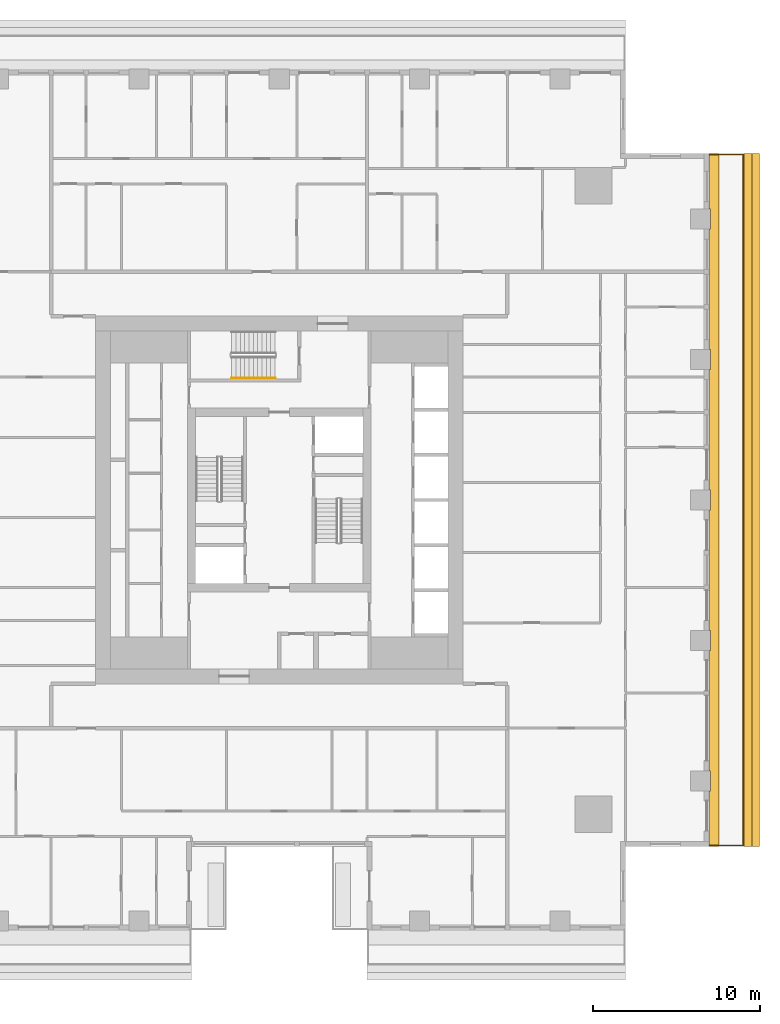
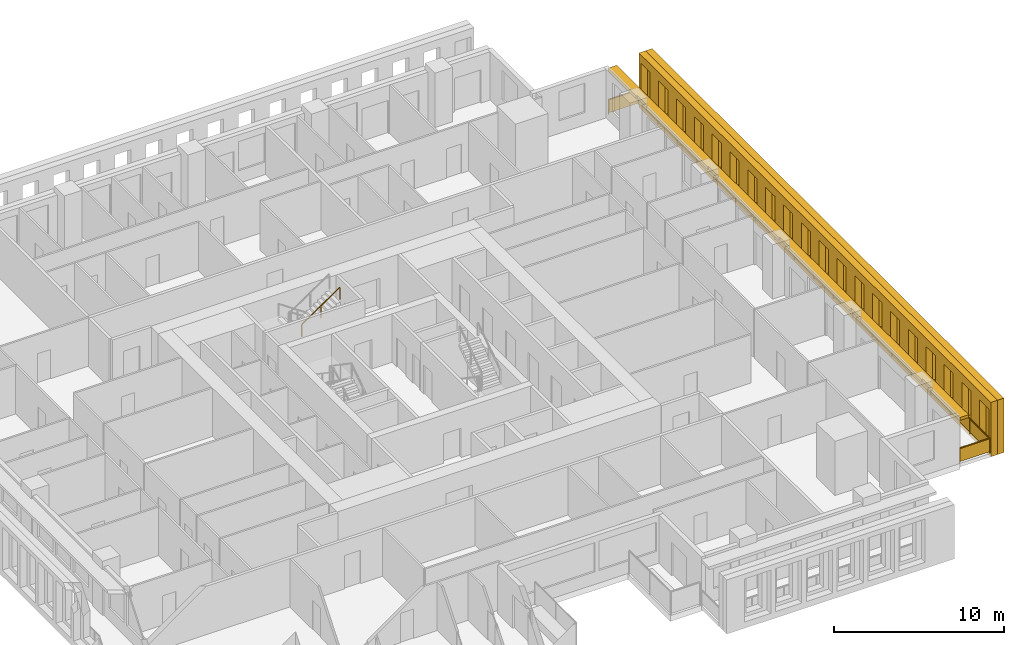
# One storey, part 13 of 15: 3 shading devices, 2 railings.
"""IFC4 building model written with IfcOpenShell, lengths in metres."""

from ifc_helpers import new_model, si_unit, direction, frame, origin, origin_2d, place, context, subcontext, project, spatial, polyline, rectangle, outline, extrude, material, layer, layer_set, type_object, element, save


model = new_model("IFC4")

# Units and contexts
model_context = context("Model", 3, precision=1e-05, world=origin(), true_north=direction((0.0, 1.0)))
body_context = subcontext(model_context, "Body", "Model", "MODEL_VIEW")
ifc_project = project(units=[si_unit("LENGTHUNIT", "METRE"), si_unit("AREAUNIT", "SQUARE_METRE"), si_unit("VOLUMEUNIT", "CUBIC_METRE"), si_unit("PLANEANGLEUNIT", "RADIAN"), si_unit("MASSUNIT", "GRAM", prefix="KILO")], contexts=[model_context])

# Site, building, storey
site_placement = place(None, origin())
site = spatial("IfcSite", under=ifc_project, at=site_placement, CompositionType="ELEMENT")
building_placement = place(site_placement, origin())
building = spatial("IfcBuilding", under=site, at=building_placement, Name="Khepri Terraces", CompositionType="ELEMENT")
storey_placement = place(building_placement, frame((0.0, 0.0, 248.39990234375)))
storey = spatial("IfcBuildingStorey", under=building, at=storey_placement, Name="L59", CompositionType="ELEMENT", Elevation=248.39990234375)

# Railings
ifc_material_1 = material(Name="Stainless steel grade 316", Category="steel")
railing_type_1 = type_object("IfcRailingType", Name="GRD-BAL-1100", PredefinedType="GUARDRAIL", material=ifc_material_1)
railing_1_placement = place(storey_placement, frame((25.719970703125, -20.669921875, 0.0)))
element("IfcRailing", 1, at=railing_1_placement, inside=storey, type_object=railing_type_1, Name="Balcony guard L59 E", PredefinedType="GUARDRAIL", context=body_context, shape_type="SweptSolid", body=[
    extrude(rectangle(XDim=0.050048828125, YDim=0.06005859375, at=origin_2d()), frame((0.0, 0.0, 1.070068359375), z_axis=(1.0, 0.0, 0.0), x_axis=(0.0, 1.0, 0.0)), (0.0, 0.0, 1.0), 2.050048828125),
    extrude(rectangle(XDim=2.0, YDim=0.011962890625, at=origin_2d()), frame((1.02490234375, 0.0, 0.10009765625), z_axis=(0.0, 0.0, 1.0), x_axis=(1.0, 0.0, 0.0)), (0.0, 0.0, 1.0), 0.93994140625),
    extrude(rectangle(XDim=0.050048828125, YDim=0.06005859375, at=origin_2d()), frame((2.050048828125, 0.0, 1.070068359375), z_axis=(0.0, 1.0, 0.0), x_axis=(-1.0, 0.0, 0.0)), (0.0, 0.0, 1.0), 41.33984375),
    extrude(rectangle(XDim=2.24658203125, YDim=0.011962890625, at=origin_2d()), frame((2.050048828125, 1.1484375, 0.10009765625), z_axis=(0.0, 0.0, 1.0), x_axis=(0.0, 1.0, 0.0)), (0.0, 0.0, 1.0), 0.93994140625),
    extrude(rectangle(XDim=2.24658203125, YDim=0.011962890625, at=origin_2d()), frame((2.050048828125, 3.445068359375, 0.10009765625), z_axis=(0.0, 0.0, 1.0), x_axis=(0.0, 1.0, 0.0)), (0.0, 0.0, 1.0), 0.93994140625),
    extrude(rectangle(XDim=2.24658203125, YDim=0.011962890625, at=origin_2d()), frame((2.050048828125, 5.74169921875, 0.10009765625), z_axis=(0.0, 0.0, 1.0), x_axis=(0.0, 1.0, 0.0)), (0.0, 0.0, 1.0), 0.93994140625),
    extrude(rectangle(XDim=2.24658203125, YDim=0.011962890625, at=origin_2d()), frame((2.050048828125, 8.038330078125, 0.10009765625), z_axis=(0.0, 0.0, 1.0), x_axis=(0.0, 1.0, 0.0)), (0.0, 0.0, 1.0), 0.93994140625),
    extrude(rectangle(XDim=2.24658203125, YDim=0.011962890625, at=origin_2d()), frame((2.050048828125, 10.3349609375, 0.10009765625), z_axis=(0.0, 0.0, 1.0), x_axis=(0.0, 1.0, 0.0)), (0.0, 0.0, 1.0), 0.93994140625),
    extrude(rectangle(XDim=2.24658203125, YDim=0.011962890625, at=origin_2d()), frame((2.050048828125, 12.631591796875, 0.10009765625), z_axis=(0.0, 0.0, 1.0), x_axis=(0.0, 1.0, 0.0)), (0.0, 0.0, 1.0), 0.93994140625),
    extrude(rectangle(XDim=2.24658203125, YDim=0.011962890625, at=origin_2d()), frame((2.050048828125, 14.92822265625, 0.10009765625), z_axis=(0.0, 0.0, 1.0), x_axis=(0.0, 1.0, 0.0)), (0.0, 0.0, 1.0), 0.93994140625),
    extrude(rectangle(XDim=2.24658203125, YDim=0.011962890625, at=origin_2d()), frame((2.050048828125, 17.224853515625, 0.10009765625), z_axis=(0.0, 0.0, 1.0), x_axis=(0.0, 1.0, 0.0)), (0.0, 0.0, 1.0), 0.93994140625),
    extrude(rectangle(XDim=2.24658203125, YDim=0.011962890625, at=origin_2d()), frame((2.050048828125, 19.521484375, 0.10009765625), z_axis=(0.0, 0.0, 1.0), x_axis=(0.0, 1.0, 0.0)), (0.0, 0.0, 1.0), 0.93994140625),
    extrude(rectangle(XDim=2.24658203125, YDim=0.011962890625, at=origin_2d()), frame((2.050048828125, 21.818359375, 0.10009765625), z_axis=(0.0, 0.0, 1.0), x_axis=(0.0, 1.0, 0.0)), (0.0, 0.0, 1.0), 0.93994140625),
    extrude(rectangle(XDim=2.24658203125, YDim=0.011962890625, at=origin_2d()), frame((2.050048828125, 24.114990234375, 0.10009765625), z_axis=(0.0, 0.0, 1.0), x_axis=(0.0, 1.0, 0.0)), (0.0, 0.0, 1.0), 0.93994140625),
    extrude(rectangle(XDim=2.24658203125, YDim=0.011962890625, at=origin_2d()), frame((2.050048828125, 26.41162109375, 0.10009765625), z_axis=(0.0, 0.0, 1.0), x_axis=(0.0, 1.0, 0.0)), (0.0, 0.0, 1.0), 0.93994140625),
    extrude(rectangle(XDim=2.24658203125, YDim=0.011962890625, at=origin_2d()), frame((2.050048828125, 28.708251953125, 0.10009765625), z_axis=(0.0, 0.0, 1.0), x_axis=(0.0, 1.0, 0.0)), (0.0, 0.0, 1.0), 0.93994140625),
    extrude(rectangle(XDim=2.24658203125, YDim=0.011962890625, at=origin_2d()), frame((2.050048828125, 31.0048828125, 0.10009765625), z_axis=(0.0, 0.0, 1.0), x_axis=(0.0, 1.0, 0.0)), (0.0, 0.0, 1.0), 0.93994140625),
    extrude(rectangle(XDim=2.24658203125, YDim=0.011962890625, at=origin_2d()), frame((2.050048828125, 33.301513671875, 0.10009765625), z_axis=(0.0, 0.0, 1.0), x_axis=(0.0, 1.0, 0.0)), (0.0, 0.0, 1.0), 0.93994140625),
    extrude(rectangle(XDim=2.24658203125, YDim=0.011962890625, at=origin_2d()), frame((2.050048828125, 35.59814453125, 0.10009765625), z_axis=(0.0, 0.0, 1.0), x_axis=(0.0, 1.0, 0.0)), (0.0, 0.0, 1.0), 0.93994140625),
    extrude(rectangle(XDim=2.24658203125, YDim=0.011962890625, at=origin_2d()), frame((2.050048828125, 37.894775390625, 0.10009765625), z_axis=(0.0, 0.0, 1.0), x_axis=(0.0, 1.0, 0.0)), (0.0, 0.0, 1.0), 0.93994140625),
    extrude(rectangle(XDim=2.24658203125, YDim=0.011962890625, at=origin_2d()), frame((2.050048828125, 40.19140625, 0.10009765625), z_axis=(0.0, 0.0, 1.0), x_axis=(0.0, 1.0, 0.0)), (0.0, 0.0, 1.0), 0.93994140625),
    extrude(rectangle(XDim=0.050048828125, YDim=0.06005859375, at=origin_2d()), frame((2.050048828125, 41.33984375, 1.070068359375), z_axis=(-1.0, 0.0, 0.0), x_axis=(0.0, -1.0, 0.0)), (0.0, 0.0, 1.0), 2.050048828125),
    extrude(rectangle(XDim=2.0, YDim=0.011962890625, at=origin_2d()), frame((1.02490234375, 41.33984375, 0.10009765625), z_axis=(0.0, 0.0, 1.0), x_axis=(-1.0, 0.0, 0.0)), (0.0, 0.0, 1.0), 0.93994140625),
    extrude(rectangle(XDim=0.050048828125, YDim=0.050048828125, at=origin_2d()), origin(), (0.0, 0.0, 1.0), 1.0400390625),
    extrude(rectangle(XDim=0.050048828125, YDim=0.050048828125, at=origin_2d()), frame((2.050048828125, 0.0, 0.0)), (0.0, 0.0, 1.0), 1.0400390625),
    extrude(rectangle(XDim=0.050048828125, YDim=0.050048828125, at=origin_2d()), frame((2.050048828125, 2.296630859375, 0.0)), (0.0, 0.0, 1.0), 1.0400390625),
    extrude(rectangle(XDim=0.050048828125, YDim=0.050048828125, at=origin_2d()), frame((2.050048828125, 4.59326171875, 0.0)), (0.0, 0.0, 1.0), 1.0400390625),
    extrude(rectangle(XDim=0.050048828125, YDim=0.050048828125, at=origin_2d()), frame((2.050048828125, 6.889892578125, 0.0)), (0.0, 0.0, 1.0), 1.0400390625),
    extrude(rectangle(XDim=0.050048828125, YDim=0.050048828125, at=origin_2d()), frame((2.050048828125, 9.1865234375, 0.0)), (0.0, 0.0, 1.0), 1.0400390625),
    extrude(rectangle(XDim=0.050048828125, YDim=0.050048828125, at=origin_2d()), frame((2.050048828125, 11.4833984375, 0.0)), (0.0, 0.0, 1.0), 1.0400390625),
    extrude(rectangle(XDim=0.050048828125, YDim=0.050048828125, at=origin_2d()), frame((2.050048828125, 13.780029296875, 0.0)), (0.0, 0.0, 1.0), 1.0400390625),
    extrude(rectangle(XDim=0.050048828125, YDim=0.050048828125, at=origin_2d()), frame((2.050048828125, 16.07666015625, 0.0)), (0.0, 0.0, 1.0), 1.0400390625),
    extrude(rectangle(XDim=0.050048828125, YDim=0.050048828125, at=origin_2d()), frame((2.050048828125, 18.373291015625, 0.0)), (0.0, 0.0, 1.0), 1.0400390625),
    extrude(rectangle(XDim=0.050048828125, YDim=0.050048828125, at=origin_2d()), frame((2.050048828125, 20.669921875, 0.0)), (0.0, 0.0, 1.0), 1.0400390625),
    extrude(rectangle(XDim=0.050048828125, YDim=0.050048828125, at=origin_2d()), frame((2.050048828125, 22.966552734375, 0.0)), (0.0, 0.0, 1.0), 1.0400390625),
    extrude(rectangle(XDim=0.050048828125, YDim=0.050048828125, at=origin_2d()), frame((2.050048828125, 25.26318359375, 0.0)), (0.0, 0.0, 1.0), 1.0400390625),
    extrude(rectangle(XDim=0.050048828125, YDim=0.050048828125, at=origin_2d()), frame((2.050048828125, 27.559814453125, 0.0)), (0.0, 0.0, 1.0), 1.0400390625),
    extrude(rectangle(XDim=0.050048828125, YDim=0.050048828125, at=origin_2d()), frame((2.050048828125, 29.8564453125, 0.0)), (0.0, 0.0, 1.0), 1.0400390625),
    extrude(rectangle(XDim=0.050048828125, YDim=0.050048828125, at=origin_2d()), frame((2.050048828125, 32.1533203125, 0.0)), (0.0, 0.0, 1.0), 1.0400390625),
    extrude(rectangle(XDim=0.050048828125, YDim=0.050048828125, at=origin_2d()), frame((2.050048828125, 34.449951171875, 0.0)), (0.0, 0.0, 1.0), 1.0400390625),
    extrude(rectangle(XDim=0.050048828125, YDim=0.050048828125, at=origin_2d()), frame((2.050048828125, 36.74658203125, 0.0)), (0.0, 0.0, 1.0), 1.0400390625),
    extrude(rectangle(XDim=0.050048828125, YDim=0.050048828125, at=origin_2d()), frame((2.050048828125, 39.043212890625, 0.0)), (0.0, 0.0, 1.0), 1.0400390625),
    extrude(rectangle(XDim=0.050048828125, YDim=0.050048828125, at=origin_2d()), frame((2.050048828125, 41.33984375, 0.0)), (0.0, 0.0, 1.0), 1.0400390625),
    extrude(rectangle(XDim=0.050048828125, YDim=0.050048828125, at=origin_2d()), frame((0.0, 41.33984375, 0.0)), (0.0, 0.0, 1.0), 1.0400390625),
])
ifc_material_2 = material(Name="Stainless steel 316", Category="steel")
railing_type_2 = type_object("IfcRailingType", Name="RL-CORE-HANDRAIL", PredefinedType="HANDRAIL", material=ifc_material_2)
railing_2_placement = place(storey_placement, frame((-2.85009765625, 7.300048828125, 2.12744140625)))
element("IfcRailing", 2, at=railing_2_placement, inside=storey, type_object=railing_type_2, Name="L59 ST-3 stair handrail 2", PredefinedType="HANDRAIL", context=body_context, shape_type="SweptSolid", body=[
    extrude(rectangle(XDim=0.050048828125, YDim=0.050048828125, at=origin_2d()), frame((0.0, 0.0, 0.875), z_axis=(0.826240473404, 0.0, 0.563317565952), x_axis=(0.0, 1.0, 0.0)), (0.0, 0.0, 1.0), 3.14697265625),
    extrude(rectangle(XDim=0.050048828125, YDim=0.050048828125, at=origin_2d()), origin(), (0.0, 0.0, 1.0), 0.849853515625),
    extrude(rectangle(XDim=0.050048828125, YDim=0.050048828125, at=origin_2d()), frame((1.300048828125, 0.0, 0.88623046875)), (0.0, 0.0, 1.0), 0.849853515625),
    extrude(rectangle(XDim=0.050048828125, YDim=0.050048828125, at=origin_2d()), frame((2.60009765625, 0.0, 1.772705078125)), (0.0, 0.0, 1.0), 0.849853515625),
])

# Shading devices
ifc_material_3 = material(Name="Precast concrete C50/60 warm stone", Category="masonry")
shading_device_type_1 = type_object("IfcShadingDeviceType", Name="SCR-CELL-INNER-450", PredefinedType="USERDEFINED", material=ifc_material_3)
shading_device_1_placement = place(storey_placement, frame((27.820068359375, -20.719970703125, -0.25), z_axis=(1.0, 0.0, 0.0), x_axis=(0.0, 1.0, 0.0)))
element("IfcShadingDevice", 3, at=shading_device_1_placement, inside=storey, type_object=shading_device_type_1, Name="Cell screen L59 E in", ObjectType="SCREEN", PredefinedType="USERDEFINED", context=body_context, shape_type="SweptSolid", body=[
    extrude(outline(polyline([(0.0, 0.0), (41.43994140625, 0.0), (41.43994140625, 3.89990234375), (0.0, 3.89990234375), (0.0, 0.0)]), holes=[polyline([(0.2265625, 0.699951171875), (1.3134765625, 0.699951171875), (1.3134765625, 3.300048828125), (0.2265625, 3.300048828125), (0.2265625, 0.699951171875)]), polyline([(2.32666015625, 0.699951171875), (3.413330078125, 0.699951171875), (3.413330078125, 3.300048828125), (2.32666015625, 3.300048828125), (2.32666015625, 0.699951171875)]), polyline([(4.426513671875, 0.699951171875), (5.513427734375, 0.699951171875), (5.513427734375, 3.300048828125), (4.426513671875, 3.300048828125), (4.426513671875, 0.699951171875)]), polyline([(6.526611328125, 0.699951171875), (7.61328125, 0.699951171875), (7.61328125, 3.300048828125), (6.526611328125, 3.300048828125), (6.526611328125, 0.699951171875)]), polyline([(8.626708984375, 0.699951171875), (9.71337890625, 0.699951171875), (9.71337890625, 3.300048828125), (8.626708984375, 3.300048828125), (8.626708984375, 0.699951171875)]), polyline([(10.7265625, 0.699951171875), (11.8134765625, 0.699951171875), (11.8134765625, 3.300048828125), (10.7265625, 3.300048828125), (10.7265625, 0.699951171875)]), polyline([(12.82666015625, 0.699951171875), (13.913330078125, 0.699951171875), (13.913330078125, 3.300048828125), (12.82666015625, 3.300048828125), (12.82666015625, 0.699951171875)]), polyline([(14.926513671875, 0.699951171875), (16.013427734375, 0.699951171875), (16.013427734375, 3.300048828125), (14.926513671875, 3.300048828125), (14.926513671875, 0.699951171875)]), polyline([(17.026611328125, 0.699951171875), (18.11328125, 0.699951171875), (18.11328125, 3.300048828125), (17.026611328125, 3.300048828125), (17.026611328125, 0.699951171875)]), polyline([(19.126708984375, 0.699951171875), (20.21337890625, 0.699951171875), (20.21337890625, 3.300048828125), (19.126708984375, 3.300048828125), (19.126708984375, 0.699951171875)]), polyline([(21.2265625, 0.699951171875), (22.3134765625, 0.699951171875), (22.3134765625, 3.300048828125), (21.2265625, 3.300048828125), (21.2265625, 0.699951171875)]), polyline([(23.32666015625, 0.699951171875), (24.413330078125, 0.699951171875), (24.413330078125, 3.300048828125), (23.32666015625, 3.300048828125), (23.32666015625, 0.699951171875)]), polyline([(25.426513671875, 0.699951171875), (26.513427734375, 0.699951171875), (26.513427734375, 3.300048828125), (25.426513671875, 3.300048828125), (25.426513671875, 0.699951171875)]), polyline([(27.526611328125, 0.699951171875), (28.61328125, 0.699951171875), (28.61328125, 3.300048828125), (27.526611328125, 3.300048828125), (27.526611328125, 0.699951171875)]), polyline([(29.626708984375, 0.699951171875), (30.71337890625, 0.699951171875), (30.71337890625, 3.300048828125), (29.626708984375, 3.300048828125), (29.626708984375, 0.699951171875)]), polyline([(31.7265625, 0.699951171875), (32.8134765625, 0.699951171875), (32.8134765625, 3.300048828125), (31.7265625, 3.300048828125), (31.7265625, 0.699951171875)]), polyline([(33.82666015625, 0.699951171875), (34.913330078125, 0.699951171875), (34.913330078125, 3.300048828125), (33.82666015625, 3.300048828125), (33.82666015625, 0.699951171875)]), polyline([(35.926513671875, 0.699951171875), (37.013427734375, 0.699951171875), (37.013427734375, 3.300048828125), (35.926513671875, 3.300048828125), (35.926513671875, 0.699951171875)]), polyline([(38.026611328125, 0.699951171875), (39.11328125, 0.699951171875), (39.11328125, 3.300048828125), (38.026611328125, 3.300048828125), (38.026611328125, 0.699951171875)]), polyline([(40.126708984375, 0.699951171875), (41.21337890625, 0.699951171875), (41.21337890625, 3.300048828125), (40.126708984375, 3.300048828125), (40.126708984375, 0.699951171875)])]), origin(), (0.0, 0.0, 1.0), 0.449951171875),
])
shading_device_type_2 = type_object("IfcShadingDeviceType", Name="SCR-CELL-OUTER-450", PredefinedType="USERDEFINED", material=ifc_material_3)
shading_device_2_placement = place(storey_placement, frame((28.27001953125, -20.719970703125, -0.25), z_axis=(1.0, 0.0, 0.0), x_axis=(0.0, 1.0, 0.0)))
element("IfcShadingDevice", 4, at=shading_device_2_placement, inside=storey, type_object=shading_device_type_2, Name="Cell screen L59 E out", ObjectType="SCREEN", PredefinedType="USERDEFINED", context=body_context, shape_type="SweptSolid", body=[
    extrude(outline(polyline([(0.0, 0.0), (41.43994140625, 0.0), (41.43994140625, 3.89990234375), (0.0, 3.89990234375), (0.0, 0.0)]), holes=[polyline([(1.9765625, 0.449951171875), (3.763427734375, 0.449951171875), (3.763427734375, 3.550048828125), (1.9765625, 3.550048828125), (1.9765625, 0.449951171875)]), polyline([(4.07666015625, 0.449951171875), (5.86328125, 0.449951171875), (5.86328125, 3.550048828125), (4.07666015625, 3.550048828125), (4.07666015625, 0.449951171875)]), polyline([(6.176513671875, 0.449951171875), (7.96337890625, 0.449951171875), (7.96337890625, 3.550048828125), (6.176513671875, 3.550048828125), (6.176513671875, 0.449951171875)]), polyline([(8.276611328125, 0.449951171875), (10.0634765625, 0.449951171875), (10.0634765625, 3.550048828125), (8.276611328125, 3.550048828125), (8.276611328125, 0.449951171875)]), polyline([(10.376708984375, 0.449951171875), (12.163330078125, 0.449951171875), (12.163330078125, 3.550048828125), (10.376708984375, 3.550048828125), (10.376708984375, 0.449951171875)]), polyline([(12.4765625, 0.449951171875), (14.263427734375, 0.449951171875), (14.263427734375, 3.550048828125), (12.4765625, 3.550048828125), (12.4765625, 0.449951171875)]), polyline([(14.57666015625, 0.449951171875), (16.36328125, 0.449951171875), (16.36328125, 3.550048828125), (14.57666015625, 3.550048828125), (14.57666015625, 0.449951171875)]), polyline([(16.676513671875, 0.449951171875), (18.46337890625, 0.449951171875), (18.46337890625, 3.550048828125), (16.676513671875, 3.550048828125), (16.676513671875, 0.449951171875)]), polyline([(18.776611328125, 0.449951171875), (20.5634765625, 0.449951171875), (20.5634765625, 3.550048828125), (18.776611328125, 3.550048828125), (18.776611328125, 0.449951171875)]), polyline([(20.876708984375, 0.449951171875), (22.663330078125, 0.449951171875), (22.663330078125, 3.550048828125), (20.876708984375, 3.550048828125), (20.876708984375, 0.449951171875)]), polyline([(22.9765625, 0.449951171875), (24.763427734375, 0.449951171875), (24.763427734375, 3.550048828125), (22.9765625, 3.550048828125), (22.9765625, 0.449951171875)]), polyline([(25.07666015625, 0.449951171875), (26.86328125, 0.449951171875), (26.86328125, 3.550048828125), (25.07666015625, 3.550048828125), (25.07666015625, 0.449951171875)]), polyline([(27.176513671875, 0.449951171875), (28.96337890625, 0.449951171875), (28.96337890625, 3.550048828125), (27.176513671875, 3.550048828125), (27.176513671875, 0.449951171875)]), polyline([(29.276611328125, 0.449951171875), (31.0634765625, 0.449951171875), (31.0634765625, 3.550048828125), (29.276611328125, 3.550048828125), (29.276611328125, 0.449951171875)]), polyline([(31.376708984375, 0.449951171875), (33.163330078125, 0.449951171875), (33.163330078125, 3.550048828125), (31.376708984375, 3.550048828125), (31.376708984375, 0.449951171875)]), polyline([(33.4765625, 0.449951171875), (35.263427734375, 0.449951171875), (35.263427734375, 3.550048828125), (33.4765625, 3.550048828125), (33.4765625, 0.449951171875)]), polyline([(35.57666015625, 0.449951171875), (37.36328125, 0.449951171875), (37.36328125, 3.550048828125), (35.57666015625, 3.550048828125), (35.57666015625, 0.449951171875)]), polyline([(37.676513671875, 0.449951171875), (39.46337890625, 0.449951171875), (39.46337890625, 3.550048828125), (37.676513671875, 3.550048828125), (37.676513671875, 0.449951171875)])]), origin(), (0.0, 0.0, 1.0), 0.449951171875),
])
ifc_layer = layer(ifc_material_3, 0.199951171875, Name="Precast concrete C50/60 warm stone", Category="masonry")
ifc_layer_set = layer_set([ifc_layer], Name="Precast concrete C50/60 warm stone")
shading_device_type_3 = type_object("IfcShadingDeviceType", Name="SSH-BAND-STONE-200-N", PredefinedType="USERDEFINED", material=ifc_layer_set)
shading_device_3_placement = place(storey_placement, frame((0.0, 0.0, 3.10009765625)))
element("IfcShadingDevice", 5, at=shading_device_3_placement, inside=storey, type_object=shading_device_type_3, Name="Sunshade band L59 E", ObjectType="SUNSHADE", PredefinedType="USERDEFINED", context=body_context, shape_type="SweptSolid", body=[
    extrude(outline(polyline([(25.719970703125, -17.39990234375), (25.719970703125, -20.719970703125), (26.320068359375, -20.719970703125), (26.320068359375, 20.719970703125), (25.719970703125, 20.719970703125), (25.719970703125, 17.39990234375), (25.800048828125, 17.39990234375), (25.800048828125, 16.199951171875), (25.719970703125, 16.199951171875), (25.719970703125, 9.0), (25.800048828125, 9.0), (25.800048828125, 7.800048828125), (25.719970703125, 7.800048828125), (25.719970703125, 0.60009765625), (25.800048828125, 0.60009765625), (25.800048828125, -0.60009765625), (25.719970703125, -0.60009765625), (25.719970703125, -7.800048828125), (25.800048828125, -7.800048828125), (25.800048828125, -9.0), (25.719970703125, -9.0), (25.719970703125, -16.199951171875), (25.800048828125, -16.199951171875), (25.800048828125, -17.39990234375), (25.719970703125, -17.39990234375)])), origin(), (0.0, 0.0, 1.0), 0.199951171875),
])

save(model, "model.ifc")
